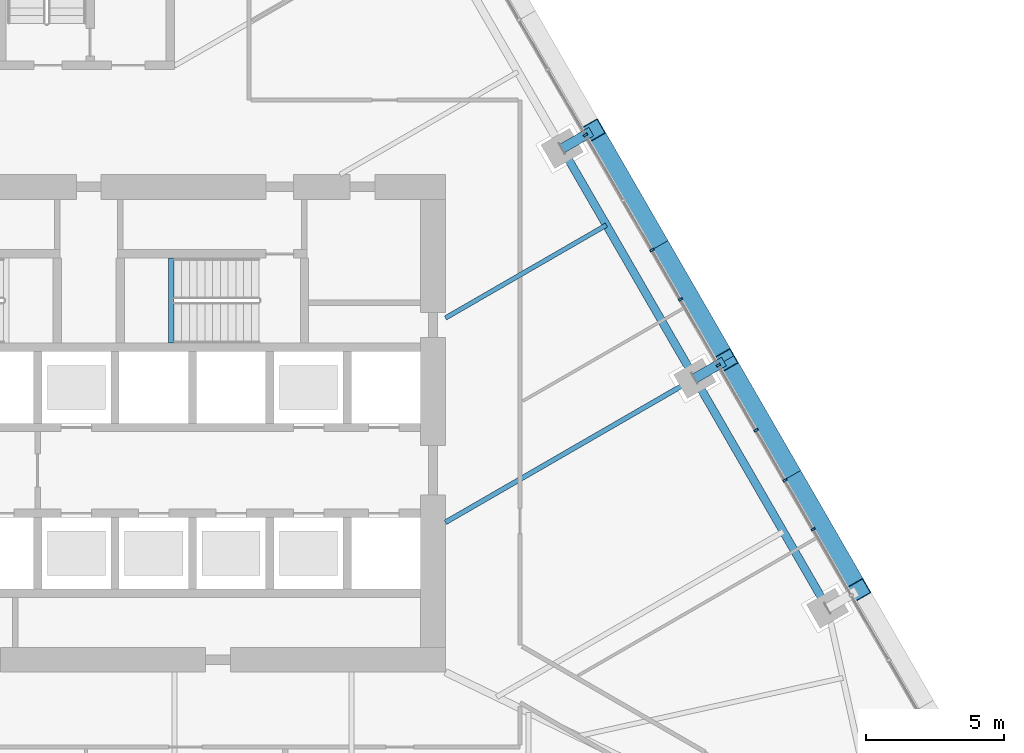
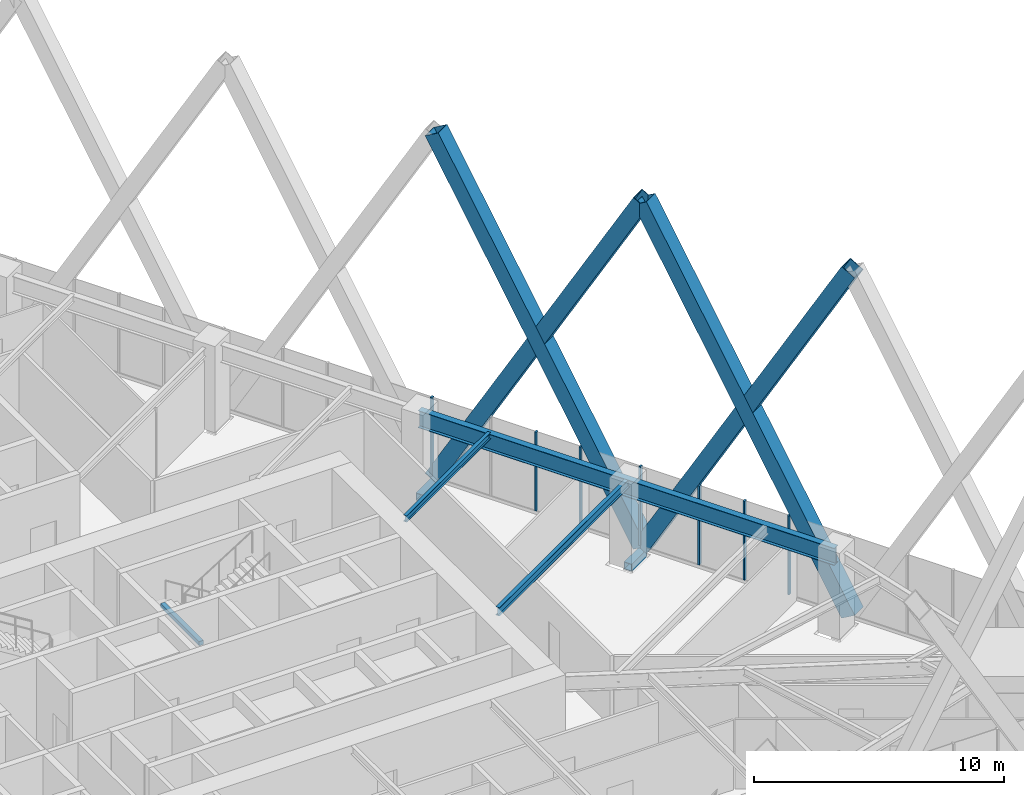
# One storey, part 8 of 26: 13 members, 4 beams, 1 element without a shape of its own.
"""IFC4 building model written with IfcOpenShell, lengths in metres."""

from ifc_helpers import new_model, si_unit, direction, frame, origin, origin_2d, place, context, subcontext, project, spatial, rectangle, hollow_rectangle, i_section, extrude, material, layer, layer_set, material_profile, profile_set, type_object, element, aggregate, save


model = new_model("IFC4")

# Units and contexts
model_context = context("Model", 3, precision=1e-05, world=origin(), true_north=direction((0.0, 1.0)))
body_context = subcontext(model_context, "Body", "Model", "MODEL_VIEW")
ifc_project = project(units=[si_unit("LENGTHUNIT", "METRE"), si_unit("AREAUNIT", "SQUARE_METRE"), si_unit("VOLUMEUNIT", "CUBIC_METRE"), si_unit("PLANEANGLEUNIT", "RADIAN"), si_unit("MASSUNIT", "GRAM", prefix="KILO")], contexts=[model_context])

# Site, building, storey
site_placement = place(None, origin())
site = spatial("IfcSite", under=ifc_project, at=site_placement, CompositionType="ELEMENT")
building_placement = place(site_placement, origin())
building = spatial("IfcBuilding", under=site, at=building_placement, Name="Firuza Gate Tower and Library", CompositionType="ELEMENT")
storey_placement = place(building_placement, frame((0.0, 0.0, 40.0)))
storey = spatial("IfcBuildingStorey", under=building, at=storey_placement, Name="L08", CompositionType="ELEMENT", Elevation=40.0)

# Members
ifc_material_1 = material(Name="Steel S355", Category="steel")
ifc_material_profile_1 = material_profile(ifc_material_1, hollow_rectangle(XDim=0.699951171875, YDim=0.699951171875, WallThickness=0.030029296875, at=origin_2d()))
ifc_profile_set_1 = profile_set([ifc_material_profile_1], Name="Steel S355")
member_type_1 = type_object("IfcMemberType", Name="BU700x700x30 Lattice brace", PredefinedType="BRACE", material=ifc_profile_set_1)
for number, where, z_axis, x_axis, name in (
    (1, (102.9462890625, 68.964599609375, 0.0), (-0.248058786501, 0.429674156435, 0.868243605062), (-0.866037363387, -0.499979284789, 0.0), "Lattice brace E 1.2R"),
    (2, (98.146484375, 77.278564453125, 0.0), (0.248058786501, -0.429674156435, 0.868243605062), (0.866037363387, 0.499979284789, 0.0), "Lattice brace E 1.2L"),
    (3, (98.146484375, 77.278564453125, 0.0), (-0.24807197236, 0.429662523513, 0.868245594528), (-0.866019993635, -0.500009370536, 0.0), "Lattice brace E 1.3R"),
    (4, (93.346435546875, 85.59228515625, 0.0), (0.24807197236, -0.429662523513, 0.868245594528), (0.866019993635, 0.500009370536, 0.0), "Lattice brace E 1.3L"),
):
    element("IfcMember", number, at=place(storey_placement, frame(where, z_axis=z_axis, x_axis=x_axis)), inside=storey, type_object=member_type_1, Name=name, PredefinedType="BRACE", context=body_context, shape_type="SweptSolid", body=[
        extrude(hollow_rectangle(XDim=0.699951171875, YDim=0.699951171875, WallThickness=0.030029296875, at=origin_2d()), origin(), (0.0, 0.0, 1.0), 19.349365234375),
    ])

# Curtain wall, members
ifc_material_2 = material(Name="Aluminium 6063-T6", Category="aluminium")
ifc_layer = layer(ifc_material_2, 0.14990234375)
ifc_layer_set = layer_set([ifc_layer], Name="Unitised curtain wall, offices")
curtain_wall_type = type_object("IfcCurtainWallType", Name="Unitised curtain wall, offices", PredefinedType="NOTDEFINED", material=ifc_layer_set)
curtain_wall_placement = place(storey_placement, origin())
curtain_wall = element("IfcCurtainWall", 5, at=curtain_wall_placement, inside=storey, type_object=curtain_wall_type, Name="CW1 L08 E face", PredefinedType="NOTDEFINED")
ifc_material_3 = material(Name="Aluminium 6063-T6", Category="aluminium")
ifc_material_profile_2 = material_profile(ifc_material_3, rectangle(XDim=0.14990234375, YDim=0.080078125, at=origin_2d()))
ifc_profile_set_2 = profile_set([ifc_material_profile_2], Name="Aluminium 6063-T6")
member_type_2 = type_object("IfcMemberType", Name="Curtain wall mullion 80x150", PredefinedType="MULLION", material=ifc_profile_set_2)
member_1_placement = place(storey_placement, frame((100.27587890625, 72.940185546875, 0.14990234375), z_axis=(0.0, 0.0, 1.0), x_axis=(-0.866025403784, -0.5, 0.0)))
member_1 = element("IfcMember", 6, at=member_1_placement, type_object=member_type_2, Name="Mullion", PredefinedType="MULLION", context=body_context, shape_type="SweptSolid", body=[
    extrude(rectangle(XDim=0.14990234375, YDim=0.080078125, at=origin_2d()), origin(), (0.0, 0.0, 1.0), 3.85009765625),
])
member_2_placement = place(storey_placement, frame((97.8720703125, 77.103515625, 0.14990234375), z_axis=(0.0, 0.0, 1.0), x_axis=(-0.866025403784, -0.5, 0.0)))
member_2 = element("IfcMember", 7, at=member_2_placement, type_object=member_type_2, Name="Mullion", PredefinedType="MULLION", context=body_context, shape_type="SweptSolid", body=[
    extrude(rectangle(XDim=0.14990234375, YDim=0.080078125, at=origin_2d()), origin(), (0.0, 0.0, 1.0), 3.85009765625),
])
member_3_placement = place(storey_placement, frame((95.468505859375, 81.2666015625, 0.14990234375), z_axis=(0.0, 0.0, 1.0), x_axis=(-0.866025403784, -0.5, 0.0)))
member_3 = element("IfcMember", 8, at=member_3_placement, type_object=member_type_2, Name="Mullion", PredefinedType="MULLION", context=body_context, shape_type="SweptSolid", body=[
    extrude(rectangle(XDim=0.14990234375, YDim=0.080078125, at=origin_2d()), origin(), (0.0, 0.0, 1.0), 3.85009765625),
])
member_4_placement = place(storey_placement, frame((93.06494140625, 85.4296875, 0.14990234375), z_axis=(0.0, 0.0, 1.0), x_axis=(-0.866025403784, -0.5, 0.0)))
member_4 = element("IfcMember", 9, at=member_4_placement, type_object=member_type_2, Name="Mullion", PredefinedType="MULLION", context=body_context, shape_type="SweptSolid", body=[
    extrude(rectangle(XDim=0.14990234375, YDim=0.080078125, at=origin_2d()), origin(), (0.0, 0.0, 1.0), 3.85009765625),
])
member_5_placement = place(storey_placement, frame((101.298095703125, 71.169677734375, 0.14990234375), z_axis=(0.0, 0.0, 1.0), x_axis=(-0.866025403784, -0.5, 0.0)))
member_5 = element("IfcMember", 10, at=member_5_placement, type_object=member_type_2, Name="Mullion", PredefinedType="MULLION", context=body_context, shape_type="SweptSolid", body=[
    extrude(rectangle(XDim=0.14990234375, YDim=0.080078125, at=origin_2d()), origin(), (0.0, 0.0, 1.0), 3.85009765625),
])
member_6_placement = place(storey_placement, frame((99.23193359375, 74.748291015625, 0.14990234375), z_axis=(0.0, 0.0, 1.0), x_axis=(-0.866025403784, -0.5, 0.0)))
member_6 = element("IfcMember", 11, at=member_6_placement, type_object=member_type_2, Name="Mullion", PredefinedType="MULLION", context=body_context, shape_type="SweptSolid", body=[
    extrude(rectangle(XDim=0.14990234375, YDim=0.080078125, at=origin_2d()), origin(), (0.0, 0.0, 1.0), 3.85009765625),
])
member_7_placement = place(storey_placement, frame((96.498046875, 79.483642578125, 0.14990234375), z_axis=(0.0, 0.0, 1.0), x_axis=(-0.866025403784, -0.5, 0.0)))
member_7 = element("IfcMember", 12, at=member_7_placement, type_object=member_type_2, Name="Mullion", PredefinedType="MULLION", context=body_context, shape_type="SweptSolid", body=[
    extrude(rectangle(XDim=0.14990234375, YDim=0.080078125, at=origin_2d()), origin(), (0.0, 0.0, 1.0), 3.85009765625),
])
aggregate(curtain_wall, [member_1, member_2, member_3, member_4, member_5, member_6, member_7])

# Members
ifc_material_4 = material(Name="Steel S355", Category="steel")
ifc_material_profile_3 = material_profile(ifc_material_4, hollow_rectangle(XDim=0.355712890625, YDim=0.355712890625, WallThickness=0.014892578125, at=origin_2d()))
ifc_profile_set_3 = profile_set([ifc_material_profile_3], Name="Steel S355")
member_type_3 = type_object("IfcMemberType", Name="HSS356x356x16 Lattice node tie", PredefinedType="BRACE", material=ifc_profile_set_3)
for number, where, z_axis, x_axis, name in (
    (13, (92.220458984375, 84.9423828125, -0.340087890625), (0.866058436235, 0.499942781752, 0.0), (-0.499942781752, 0.866058436235, 0.0), "Lattice node tie E L08 4"),
    (14, (97.0205078125, 76.62841796875, -0.340087890625), (0.866058436235, 0.499942781752, 0.0), (-0.499942781752, 0.866058436235, 0.0), "Lattice node tie E L08 5"),
):
    element("IfcMember", number, at=place(storey_placement, frame(where, z_axis=z_axis, x_axis=x_axis)), inside=storey, type_object=member_type_3, Name=name, PredefinedType="BRACE", context=body_context, shape_type="SweptSolid", body=[
        extrude(hollow_rectangle(XDim=0.355712890625, YDim=0.355712890625, WallThickness=0.014892578125, at=origin_2d()), origin(), (0.0, 0.0, 1.0), 1.215087890625),
    ])

# Beams
ifc_material_5 = material(Name="Concrete C35/45", Category="concrete")
ifc_material_profile_4 = material_profile(ifc_material_5, rectangle(XDim=0.199951171875, YDim=0.199951171875, at=origin_2d()))
ifc_profile_set_4 = profile_set([ifc_material_profile_4], Name="Concrete C35/45")
beam_type_1 = type_object("IfcBeamType", Name="Stair landing bearer 200x200", PredefinedType="BEAM", material=ifc_profile_set_4)
beam_1_placement = place(storey_placement, frame((78.080078125, 80.97998046875, 1.800048828125), z_axis=(0.0, -1.0, 0.0), x_axis=(1.0, 0.0, 0.0)))
element("IfcBeam", 15, at=beam_1_placement, inside=storey, type_object=beam_type_1, Name="Landing bearer L08 stair 2", PredefinedType="BEAM", context=body_context, shape_type="SweptSolid", body=[
    extrude(rectangle(XDim=0.199951171875, YDim=0.199951171875, at=origin_2d()), origin(), (0.0, 0.0, 1.0), 3.080078125),
])
ifc_material_6 = material(Name="Steel S355", Category="steel")
ifc_material_profile_5 = material_profile(ifc_material_6, i_section(OverallWidth=0.1650390625, OverallDepth=0.31005859375, WebThickness=0.005859375, FlangeThickness=0.009765625, at=origin_2d()))
ifc_profile_set_5 = profile_set([ifc_material_profile_5], Name="Steel S355")
beam_type_2 = type_object("IfcBeamType", Name="W310x39 Floor beam", PredefinedType="JOIST", material=ifc_profile_set_5)
beam_2_placement = place(storey_placement, frame((93.820556640625, 82.171142578125, 3.844970703125), z_axis=(-0.866019234261, -0.500010685776, 0.0), x_axis=(0.500010685776, -0.866019234261, 0.0)))
element("IfcBeam", 16, at=beam_2_placement, inside=storey, type_object=beam_type_2, Name="Floor beam L08 s52", PredefinedType="JOIST", context=body_context, shape_type="SweptSolid", body=[
    extrude(i_section(OverallWidth=0.1650390625, OverallDepth=0.31005859375, WebThickness=0.005859375, FlangeThickness=0.009765625, at=origin_2d()), origin(), (0.0, 0.0, 1.0), 6.720947265625),
])
ifc_material_7 = material(Name="Steel S355", Category="steel")
ifc_material_profile_6 = material_profile(ifc_material_7, i_section(OverallWidth=0.177978515625, OverallDepth=0.406982421875, WebThickness=0.0078125, FlangeThickness=0.0126953125, at=origin_2d()))
ifc_profile_set_6 = profile_set([ifc_material_profile_6], Name="Steel S355")
beam_type_3 = type_object("IfcBeamType", Name="W410x60 Floor beam", PredefinedType="JOIST", material=ifc_profile_set_6)
beam_3_placement = place(storey_placement, frame((97.0205078125, 76.62841796875, 3.79638671875), z_axis=(-0.866024771944, -0.500001094379, 0.0), x_axis=(0.500001094379, -0.866024771944, 0.0)))
element("IfcBeam", 17, at=beam_3_placement, inside=storey, type_object=beam_type_3, Name="Floor beam L08 s51", PredefinedType="JOIST", context=body_context, shape_type="SweptSolid", body=[
    extrude(i_section(OverallWidth=0.177978515625, OverallDepth=0.406982421875, WebThickness=0.0078125, FlangeThickness=0.0126953125, at=origin_2d()), origin(), (0.0, 0.0, 1.0), 10.416015625),
])
ifc_material_8 = material(Name="Steel S355", Category="steel")
ifc_material_profile_7 = material_profile(ifc_material_8, i_section(OverallWidth=0.2919921875, OverallDepth=0.8349609375, WebThickness=0.013916015625, FlangeThickness=0.018798828125, at=origin_2d()))
ifc_profile_set_7 = profile_set([ifc_material_profile_7], Name="Steel S355")
beam_type_4 = type_object("IfcBeamType", Name="W840x176 Edge beam", PredefinedType="SPANDREL", material=ifc_profile_set_7)
beam_4_placement = place(storey_placement, frame((101.820556640625, 68.314697265625, 3.58251953125), z_axis=(-0.500003864429, 0.866023172644, 0.0), x_axis=(-0.866023172644, -0.500003864429, 0.0)))
element("IfcBeam", 18, at=beam_4_placement, inside=storey, type_object=beam_type_4, Name="Edge beam L08 e50", PredefinedType="SPANDREL", context=body_context, shape_type="SweptSolid", body=[
    extrude(i_section(OverallWidth=0.2919921875, OverallDepth=0.8349609375, WebThickness=0.013916015625, FlangeThickness=0.018798828125, at=origin_2d()), origin(), (0.0, 0.0, 1.0), 19.199951171875),
])

save(model, "model.ifc")
